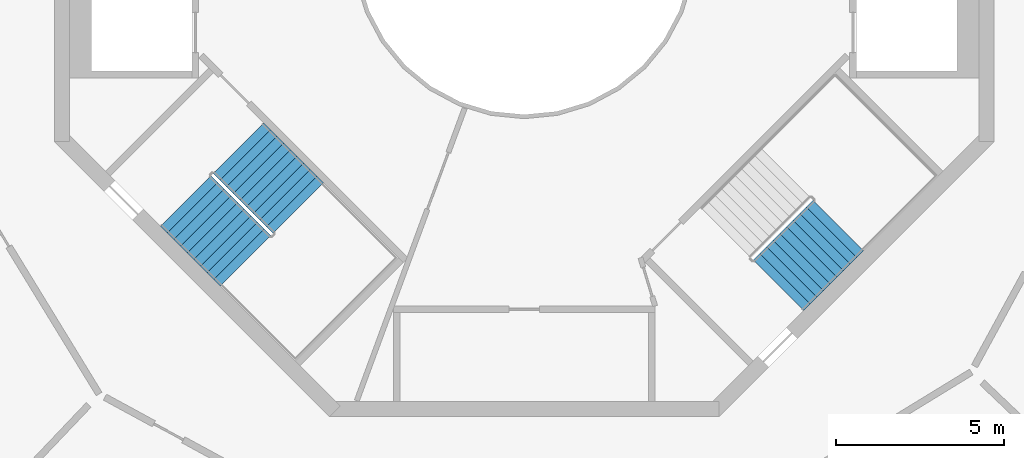
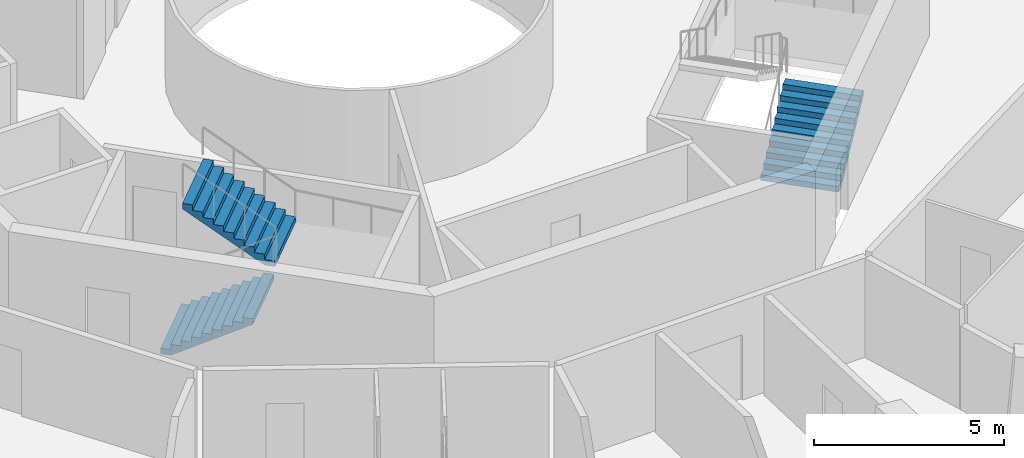
# One storey, part 24 of 26: 3 stair flights, 2 elements without a shape of their own.
"""IFC4 building model written with IfcOpenShell, lengths in metres."""

import ifcopenshell
import ifcopenshell.guid

model = None  # the IFC model being written
_history = None  # IfcOwnerHistory: only IFC2X3 demands one
_inside = {}  # id of a spatial element -> (the spatial element, [elements in it])
_under = {}  # id of a project, library or spatial element -> (it, [spatial elements below it])
_declared = {}  # id of a project -> (the project, [libraries it declares])
_typed = {}  # id of a type object -> (the type object, [elements of that type])
_made_of = {}  # id of a material, layer set ... -> (it, [elements and type objects made of it])


def new_model(schema):
    """Start an empty IFC model of exactly this schema.

    Asked for "IFC4X3", IfcOpenShell would pick the latest addendum, in which some entities
    have other attributes; the version numbers below select the first issue.
    IFC2X3 requires an IfcOwnerHistory on every rooted entity: one is made here for all.
    """
    global model, _history
    if schema == "IFC4X3":
        model = ifcopenshell.file(schema_version=(4, 3, 0, 0))
    else:
        model = ifcopenshell.file(schema=schema)
    _inside.clear()
    _under.clear()
    _declared.clear()
    _typed.clear()
    _made_of.clear()
    _history = None
    if model.schema == "IFC2X3":
        org = make("IfcOrganization", Name="unknown")
        user = make(
            "IfcPersonAndOrganization",
            ThePerson=make("IfcPerson", FamilyName="unknown"),
            TheOrganization=org,
        )
        app = make(
            "IfcApplication",
            ApplicationDeveloper=org,
            Version="unknown",
            ApplicationFullName="unknown",
            ApplicationIdentifier="unknown",
        )
        _history = make(
            "IfcOwnerHistory",
            OwningUser=user,
            OwningApplication=app,
            ChangeAction="ADDED",
            CreationDate=0,
        )
    return model


def make(cls, **values):
    """One entity of the class cls with the attributes given. An attribute that is None is left unset."""
    return model.create_entity(
        cls, **{name: value for name, value in values.items() if value is not None}
    )


def rooted(cls, **values):
    """An entity with a GlobalId (a new one), such as an element, a storey or a relation."""
    return make(cls, GlobalId=ifcopenshell.guid.new(), OwnerHistory=_history, **values)


def si_unit(unit_type, name, prefix=None):
    """IfcSIUnit, for example si_unit("LENGTHUNIT", "METRE", prefix="MILLI")."""
    return make("IfcSIUnit", UnitType=unit_type, Prefix=prefix, Name=name)


def assignment(units):
    """IfcUnitAssignment: the units of a project."""
    return None if units is None else make("IfcUnitAssignment", Units=units)


def point(xyz):
    """IfcCartesianPoint."""
    return None if xyz is None else make("IfcCartesianPoint", Coordinates=xyz)


def direction(xyz):
    """IfcDirection."""
    return None if xyz is None else make("IfcDirection", DirectionRatios=xyz)


def frame(location, z_axis=None, x_axis=None):
    """IfcAxis2Placement3D, a coordinate frame: its origin and axes. An axis left out is left unset."""
    return make(
        "IfcAxis2Placement3D",
        Location=point(location),
        Axis=direction(z_axis),
        RefDirection=direction(x_axis),
    )


def origin():
    """The frame at (0, 0, 0) with its axes left unset."""
    return frame((0.0, 0.0, 0.0))


def place(relative_to, where):
    """IfcLocalPlacement: puts the frame where relative to a parent placement (None: the world)."""
    return make(
        "IfcLocalPlacement", PlacementRelTo=relative_to, RelativePlacement=where
    )


def context(
    kind, dimensions, precision=None, world=None, true_north=None, identifier=None
):
    """IfcGeometricRepresentationContext, for example the 3D "Model" context."""
    return make(
        "IfcGeometricRepresentationContext",
        ContextIdentifier=identifier,
        ContextType=kind,
        CoordinateSpaceDimension=dimensions,
        Precision=precision,
        WorldCoordinateSystem=world,
        TrueNorth=true_north,
    )


def subcontext(parent, identifier, kind, view, scale=None):
    """IfcGeometricRepresentationSubContext, for example "Body" below "Model"."""
    return make(
        "IfcGeometricRepresentationSubContext",
        ContextIdentifier=identifier,
        ContextType=kind,
        ParentContext=parent,
        TargetScale=scale,
        TargetView=view,
    )


def project(units=None, contexts=None):
    """IfcProject with its units and contexts."""
    return rooted(
        "IfcProject",
        Name="project",
        RepresentationContexts=contexts,
        UnitsInContext=assignment(units),
    )


def spatial(cls, under=None, at=None, **own):
    """A site, building, storey or space (cls), placed at a placement, below another one or the project."""
    s = rooted(cls, ObjectPlacement=at, **own)
    if under is not None:
        _under.setdefault(under.id(), (under, []))[1].append(s)
    return s


def point_list(points):
    """IfcCartesianPointList2D or 3D."""
    cls = (
        "IfcCartesianPointList2D" if len(points[0]) == 2 else "IfcCartesianPointList3D"
    )
    return make(cls, CoordList=points)


def triangles(points, corners, closed=None, point_numbers=None):
    """IfcTriangulatedFaceSet: each triangle names its three corners, points numbered from 1."""
    return make(
        "IfcTriangulatedFaceSet",
        Coordinates=point_list(points),
        Closed=closed,
        CoordIndex=corners,
        PnIndex=point_numbers,
    )


def shape(context_of_items, identifier, shape_type, items):
    """IfcShapeRepresentation: the items that make up one representation, for example the "Body"."""
    return make(
        "IfcShapeRepresentation",
        ContextOfItems=context_of_items,
        RepresentationIdentifier=identifier,
        RepresentationType=shape_type,
        Items=items,
    )


def material(Name=None, Category=None):
    """IfcMaterial."""
    return make("IfcMaterial", Name=Name, Category=Category)


def made_of(thing, what):
    """Note that an element or type object is made of a material, layer set ...; save() writes the relation."""
    if what is not None:
        _made_of.setdefault(what.id(), (what, []))[1].append(thing)
    return thing


def type_object(cls, material=None, **own):
    """A type object (cls), such as IfcWallType, which elements share."""
    return made_of(rooted(cls, **own), material)


def element(
    cls,
    number,
    at=None,
    inside=None,
    cuts=None,
    type_object=None,
    material=None,
    context=None,
    identifier="Body",
    shape_type=None,
    held_by="IfcProductDefinitionShape",
    body=None,
    shapes=None,
    **own,
):
    """One element of the class cls, such as IfcWall. Its Tag is "e" and its number.

    at: its placement. inside: the storey or other place that contains it. cuts: it is an
    opening in that element (IfcRelVoidsElement). A single representation is given by context,
    identifier, shape_type and body (its items); several are given by shapes. held_by: the class
    of the entity that holds the representations. save() writes the other relations.
    """
    e = rooted(cls, Tag="e%d" % number, ObjectPlacement=at, **own)
    if body is not None:
        shapes = [shape(context, identifier, shape_type, body)]
    if shapes is not None:
        e.Representation = make(held_by, Representations=shapes)
    if inside is not None:
        _inside.setdefault(inside.id(), (inside, []))[1].append(e)
    if cuts is not None:
        rooted(
            "IfcRelVoidsElement", RelatingBuildingElement=cuts, RelatedOpeningElement=e
        )
    if type_object is not None:
        _typed.setdefault(type_object.id(), (type_object, []))[1].append(e)
    return made_of(e, material)


def aggregate(whole, parts):
    """IfcRelAggregates: a whole, such as a stair, and the parts it consists of."""
    return rooted("IfcRelAggregates", RelatingObject=whole, RelatedObjects=parts)


def save(model, path):
    """Write the relations noted so far, then the file.

    IfcRelAggregates (storeys below a building ...), IfcRelContainedInSpatialStructure (elements
    in a storey), IfcRelDefinesByType, IfcRelAssociatesMaterial and IfcRelDeclares: one each for
    every whole, place, type object, material and project.
    """
    for whole, parts in _under.values():
        aggregate(whole, parts)
    for where, things in _inside.values():
        rooted(
            "IfcRelContainedInSpatialStructure",
            RelatedElements=things,
            RelatingStructure=where,
        )
    for kind, things in _typed.values():
        rooted("IfcRelDefinesByType", RelatedObjects=things, RelatingType=kind)
    for what, things in _made_of.values():
        rooted("IfcRelAssociatesMaterial", RelatedObjects=things, RelatingMaterial=what)
    for by, libraries in _declared.values():
        rooted("IfcRelDeclares", RelatingContext=by, RelatedDefinitions=libraries)
    model.write(path)


model = new_model("IFC4")

# Units and contexts
model_context = context("Model", 3, precision=1e-05, world=origin(), true_north=direction((0.0, 1.0)))
body_context = subcontext(model_context, "Body", "Model", "MODEL_VIEW")
ifc_project = project(units=[si_unit("LENGTHUNIT", "METRE"), si_unit("AREAUNIT", "SQUARE_METRE"), si_unit("VOLUMEUNIT", "CUBIC_METRE"), si_unit("PLANEANGLEUNIT", "RADIAN"), si_unit("MASSUNIT", "GRAM", prefix="KILO")], contexts=[model_context])

# Site, building, storey
site_placement = place(None, origin())
site = spatial("IfcSite", under=ifc_project, at=site_placement, CompositionType="ELEMENT")
building_placement = place(site_placement, origin())
building = spatial("IfcBuilding", under=site, at=building_placement, Name="Verdalira Terraces Hotel", CompositionType="ELEMENT")
storey_placement = place(building_placement, frame((0.0, 0.0, 284.5)))
storey = spatial("IfcBuildingStorey", under=building, at=storey_placement, Name="L70", CompositionType="ELEMENT", Elevation=284.5)

# Stair, stair flights
ifc_material_1 = material(Name="Concrete C40", Category="concrete")
stair_type = type_object("IfcStairType", Name="Core stair 20 risers 2125 mm wide", PredefinedType="HALF_TURN_STAIR", material=ifc_material_1)
stair_1_placement = place(storey_placement, origin())
stair_1 = element("IfcStair", 1, at=stair_1_placement, inside=storey, type_object=stair_type, Name="L70 Exit stair ST2", PredefinedType="HALF_TURN_STAIR")
ifc_material_2 = material(Name="Concrete C40", Category="concrete")
stair_flight_type = type_object("IfcStairFlightType", Name="Core stair flight 20 risers 2125 mm wide", PredefinedType="STRAIGHT", material=ifc_material_2)
stair_flight_1_placement = place(storey_placement, frame((-10.085205, -7.574951, 0.0), z_axis=(0.0, 0.0, 1.0), x_axis=(0.707106781, -0.707106781, 0.0)))
stair_flight_1 = element("IfcStairFlight", 2, at=stair_flight_1_placement, type_object=stair_flight_type, Name="ST2 flight 1", NumberOfRisers=10, NumberOfTreads=9, PredefinedType="STRAIGHT", RiserHeight=0.175, TreadLength=0.28, context=body_context, shape_type="Tessellation", body=[
    triangles([(0.0, 1.0625, 0.0), (0.282715, 1.0625, 0.0), (2.52002, 1.0625, 1.398193), (0.0, -1.0625, 0.0), (0.282715, -1.0625, 0.0), (2.52002, -1.0625, 1.398193), (2.52002, 1.0625, 1.574951), (2.23999, 1.0625, 1.574951), (2.52002, -1.0625, 1.574951), (2.23999, -1.0625, 1.574951), (2.23999, 1.0625, 1.399902), (2.23999, -1.0625, 1.399902), (1.959961, 1.0625, 1.399902), (1.959961, -1.0625, 1.399902), (1.959961, 1.0625, 1.225098), (1.959961, -1.0625, 1.225098), (1.679932, 1.0625, 1.225098), (1.679932, 1.0625, 1.050049), (1.679932, -1.0625, 1.225098), (1.679932, -1.0625, 1.050049), (1.399902, 1.0625, 1.050049), (1.399902, 1.0625, 0.875), (1.399902, -1.0625, 1.050049), (1.399902, -1.0625, 0.875), (1.120117, 1.0625, 0.875), (1.120117, 1.0625, 0.699951), (1.120117, -1.0625, 0.875), (1.120117, -1.0625, 0.699951), (0.840088, 1.0625, 0.699951), (0.840088, 1.0625, 0.524902), (0.840088, -1.0625, 0.699951), (0.840088, -1.0625, 0.524902), (0.560059, 1.0625, 0.524902), (0.560059, 1.0625, 0.350098), (0.560059, -1.0625, 0.524902), (0.560059, -1.0625, 0.350098), (0.280029, 1.0625, 0.350098), (0.280029, 1.0625, 0.175049), (0.280029, -1.0625, 0.350098), (0.280029, -1.0625, 0.175049), (0.0, 1.0625, 0.175049), (0.0, -1.0625, 0.175049), (0.0, -0.996094, 0.0), (0.0, -0.996094, 0.175049), (0.0, -0.929688, 0.0), (0.0, -0.929688, 0.175049), (0.0, -0.863281, 0.0), (0.0, -0.863281, 0.175049), (0.0, -0.796875, 0.0), (0.0, -0.796875, 0.175049), (0.0, -0.730469, 0.0), (0.0, -0.730469, 0.175049), (0.0, -0.664062, 0.0), (0.0, -0.664062, 0.175049), (0.0, -0.597656, 0.0), (0.0, -0.597656, 0.175049), (0.0, -0.53125, 0.0), (0.0, -0.53125, 0.175049), (0.0, -0.464844, 0.0), (0.0, -0.464844, 0.175049), (0.0, -0.398438, 0.0), (0.0, -0.398438, 0.175049), (0.0, -0.332031, 0.0), (0.0, -0.332031, 0.175049), (0.0, -0.265625, 0.0), (0.0, -0.265625, 0.175049), (0.0, -0.199219, 0.0), (0.0, -0.199219, 0.175049), (0.0, -0.132812, 0.0), (0.0, -0.132812, 0.175049), (0.0, -0.066406, 0.0), (0.0, -0.066406, 0.175049), (0.0, 0.0, 0.0), (0.0, 0.0, 0.175049), (0.0, 0.066406, 0.0), (0.0, 0.066406, 0.175049), (0.0, 0.132812, 0.0), (0.0, 0.132812, 0.175049), (0.0, 0.199219, 0.0), (0.0, 0.199219, 0.175049), (0.0, 0.265625, 0.0), (0.0, 0.265625, 0.175049), (0.0, 0.332031, 0.0), (0.0, 0.332031, 0.175049), (0.0, 0.398438, 0.0), (0.0, 0.398438, 0.175049), (0.0, 0.464844, 0.0), (0.0, 0.464844, 0.175049), (0.0, 0.53125, 0.0), (0.0, 0.53125, 0.175049), (0.0, 0.597656, 0.0), (0.0, 0.597656, 0.175049), (0.0, 0.664062, 0.0), (0.0, 0.664062, 0.175049), (0.0, 0.730469, 0.0), (0.0, 0.730469, 0.175049), (0.0, 0.796875, 0.0), (0.0, 0.796875, 0.175049), (0.0, 0.863281, 0.0), (0.0, 0.863281, 0.175049), (0.0, 0.929688, 0.0), (0.0, 0.929688, 0.175049), (0.0, 0.996094, 0.0), (0.0, 0.996094, 0.175049), (2.52002, -0.996094, 1.574951), (2.52002, -0.929688, 1.574951), (2.52002, -0.863281, 1.574951), (2.52002, -0.796875, 1.574951), (2.52002, -0.730469, 1.574951), (2.52002, -0.664062, 1.574951), (2.52002, -0.597656, 1.574951), (2.52002, -0.53125, 1.574951), (2.52002, -0.464844, 1.574951), (2.52002, -0.398438, 1.574951), (2.52002, -0.332031, 1.574951), (2.52002, -0.265625, 1.574951), (2.52002, -0.199219, 1.574951), (2.52002, -0.132812, 1.574951), (2.52002, -0.066406, 1.574951), (2.52002, 0.0, 1.574951), (2.52002, 0.066406, 1.574951), (2.52002, 0.132812, 1.574951), (2.52002, 0.199219, 1.574951), (2.52002, 0.265625, 1.574951), (2.52002, 0.332031, 1.574951), (2.52002, 0.398438, 1.574951), (2.52002, 0.464844, 1.574951), (2.52002, 0.53125, 1.574951), (2.52002, 0.597656, 1.574951), (2.52002, 0.664062, 1.574951), (2.52002, 0.730469, 1.574951), (2.52002, 0.796875, 1.574951), (2.52002, 0.863281, 1.574951), (2.52002, 0.929688, 1.574951), (2.52002, 0.996094, 1.574951), (2.52002, -0.996094, 1.398193), (2.52002, -0.929688, 1.398193), (2.52002, -0.863281, 1.398193), (2.52002, -0.796875, 1.398193), (2.52002, -0.730469, 1.398193), (2.52002, -0.664062, 1.398193), (2.52002, -0.597656, 1.398193), (2.52002, -0.53125, 1.398193), (2.52002, -0.464844, 1.398193), (2.52002, -0.398438, 1.398193), (2.52002, -0.332031, 1.398193), (2.52002, -0.265625, 1.398193), (2.52002, -0.199219, 1.398193), (2.52002, -0.132812, 1.398193), (2.52002, -0.066406, 1.398193), (2.52002, 0.0, 1.398193), (2.52002, 0.066406, 1.398193), (2.52002, 0.132812, 1.398193), (2.52002, 0.199219, 1.398193), (2.52002, 0.265625, 1.398193), (2.52002, 0.332031, 1.398193), (2.52002, 0.398438, 1.398193), (2.52002, 0.464844, 1.398193), (2.52002, 0.53125, 1.398193), (2.52002, 0.597656, 1.398193), (2.52002, 0.664062, 1.398193), (2.52002, 0.730469, 1.398193), (2.52002, 0.796875, 1.398193), (2.52002, 0.863281, 1.398193), (2.52002, 0.929688, 1.398193), (2.52002, 0.996094, 1.398193)], [[1, 3, 2], [4, 5, 6], [3, 8, 7], [6, 9, 10], [3, 11, 8], [6, 10, 12], [3, 13, 11], [6, 12, 14], [3, 15, 13], [6, 14, 16], [15, 18, 17], [16, 19, 20], [3, 18, 15], [6, 16, 20], [18, 22, 21], [20, 23, 24], [3, 22, 18], [6, 20, 24], [22, 26, 25], [24, 27, 28], [3, 26, 22], [6, 24, 28], [26, 30, 29], [28, 31, 32], [3, 30, 26], [6, 28, 32], [1, 30, 3], [4, 6, 32], [30, 34, 33], [32, 35, 36], [34, 38, 37], [36, 39, 40], [30, 38, 34], [32, 36, 40], [1, 38, 30], [4, 32, 40], [38, 1, 41], [40, 42, 4], [4, 44, 43], [4, 42, 44], [43, 46, 45], [43, 44, 46], [45, 48, 47], [45, 46, 48], [47, 50, 49], [47, 48, 50], [49, 52, 51], [49, 50, 52], [51, 54, 53], [51, 52, 54], [53, 56, 55], [53, 54, 56], [55, 58, 57], [55, 56, 58], [57, 60, 59], [57, 58, 60], [59, 62, 61], [59, 60, 62], [61, 64, 63], [61, 62, 64], [63, 66, 65], [63, 64, 66], [65, 68, 67], [65, 66, 68], [67, 70, 69], [67, 68, 70], [69, 72, 71], [69, 70, 72], [71, 74, 73], [71, 72, 74], [73, 76, 75], [73, 74, 76], [75, 78, 77], [75, 76, 78], [77, 80, 79], [77, 78, 80], [79, 82, 81], [79, 80, 82], [81, 84, 83], [81, 82, 84], [83, 86, 85], [83, 84, 86], [85, 88, 87], [85, 86, 88], [87, 90, 89], [87, 88, 90], [89, 92, 91], [89, 90, 92], [91, 94, 93], [91, 92, 94], [93, 96, 95], [93, 94, 96], [95, 98, 97], [95, 96, 98], [97, 100, 99], [97, 98, 100], [99, 102, 101], [99, 100, 102], [101, 104, 103], [101, 102, 104], [103, 41, 1], [103, 104, 41], [42, 40, 44], [44, 40, 46], [46, 40, 48], [48, 40, 50], [50, 40, 52], [52, 40, 54], [54, 40, 56], [56, 40, 58], [58, 40, 60], [60, 40, 62], [62, 40, 64], [64, 40, 66], [66, 40, 68], [68, 40, 70], [70, 40, 72], [72, 40, 74], [74, 40, 76], [76, 40, 78], [78, 40, 80], [80, 40, 82], [82, 40, 84], [84, 40, 86], [86, 40, 88], [88, 40, 90], [90, 40, 92], [92, 40, 94], [94, 40, 96], [96, 40, 98], [98, 40, 100], [100, 40, 102], [102, 40, 104], [104, 40, 41], [41, 40, 38], [40, 37, 38], [40, 39, 37], [39, 34, 37], [39, 36, 34], [36, 33, 34], [36, 35, 33], [35, 30, 33], [35, 32, 30], [32, 29, 30], [32, 31, 29], [31, 26, 29], [31, 28, 26], [28, 25, 26], [28, 27, 25], [27, 22, 25], [27, 24, 22], [24, 21, 22], [24, 23, 21], [23, 18, 21], [23, 20, 18], [20, 17, 18], [20, 19, 17], [19, 15, 17], [19, 16, 15], [16, 13, 15], [16, 14, 13], [14, 11, 13], [14, 12, 11], [12, 8, 11], [12, 10, 8], [9, 105, 10], [105, 106, 10], [106, 107, 10], [107, 108, 10], [108, 109, 10], [109, 110, 10], [110, 111, 10], [111, 112, 10], [112, 113, 10], [113, 114, 10], [114, 115, 10], [115, 116, 10], [116, 117, 10], [117, 118, 10], [118, 119, 10], [119, 120, 10], [120, 121, 10], [121, 122, 10], [122, 123, 10], [123, 124, 10], [124, 125, 10], [125, 126, 10], [126, 127, 10], [127, 128, 10], [128, 129, 10], [129, 130, 10], [130, 131, 10], [131, 132, 10], [132, 133, 10], [133, 134, 10], [134, 135, 10], [135, 7, 10], [7, 8, 10], [9, 136, 105], [9, 6, 136], [105, 137, 106], [105, 136, 137], [106, 138, 107], [106, 137, 138], [107, 139, 108], [107, 138, 139], [108, 140, 109], [108, 139, 140], [109, 141, 110], [109, 140, 141], [110, 142, 111], [110, 141, 142], [111, 143, 112], [111, 142, 143], [112, 144, 113], [112, 143, 144], [113, 145, 114], [113, 144, 145], [114, 146, 115], [114, 145, 146], [115, 147, 116], [115, 146, 147], [116, 148, 117], [116, 147, 148], [117, 149, 118], [117, 148, 149], [118, 150, 119], [118, 149, 150], [119, 151, 120], [119, 150, 151], [120, 152, 121], [120, 151, 152], [121, 153, 122], [121, 152, 153], [122, 154, 123], [122, 153, 154], [123, 155, 124], [123, 154, 155], [124, 156, 125], [124, 155, 156], [125, 157, 126], [125, 156, 157], [126, 158, 127], [126, 157, 158], [127, 159, 128], [127, 158, 159], [128, 160, 129], [128, 159, 160], [129, 161, 130], [129, 160, 161], [130, 162, 131], [130, 161, 162], [131, 163, 132], [131, 162, 163], [132, 164, 133], [132, 163, 164], [133, 165, 134], [133, 164, 165], [134, 166, 135], [134, 165, 166], [135, 3, 7], [135, 166, 3], [6, 5, 136], [136, 5, 137], [137, 5, 138], [138, 5, 139], [139, 5, 140], [140, 5, 141], [141, 5, 142], [142, 5, 143], [143, 5, 144], [144, 5, 145], [145, 5, 146], [146, 5, 147], [147, 5, 148], [148, 5, 149], [149, 5, 150], [150, 5, 151], [151, 5, 152], [152, 5, 153], [153, 5, 154], [154, 5, 155], [155, 5, 156], [156, 5, 157], [157, 5, 158], [158, 5, 159], [159, 5, 160], [160, 5, 161], [161, 5, 162], [162, 5, 163], [163, 5, 164], [164, 5, 165], [165, 5, 166], [166, 5, 3], [3, 5, 2], [4, 43, 5], [43, 45, 5], [45, 47, 5], [47, 49, 5], [49, 51, 5], [51, 53, 5], [53, 55, 5], [55, 57, 5], [57, 59, 5], [59, 61, 5], [61, 63, 5], [63, 65, 5], [65, 67, 5], [67, 69, 5], [69, 71, 5], [71, 73, 5], [73, 75, 5], [75, 77, 5], [77, 79, 5], [79, 81, 5], [81, 83, 5], [83, 85, 5], [85, 87, 5], [87, 89, 5], [89, 91, 5], [91, 93, 5], [93, 95, 5], [95, 97, 5], [97, 99, 5], [99, 101, 5], [101, 103, 5], [103, 1, 5], [1, 2, 5]], closed=True),
])
stair_flight_2_placement = place(storey_placement, frame((-6.72998, -7.783447, 1.75), z_axis=(0.0, 0.0, 1.0), x_axis=(-0.707106781, 0.707106781, 0.0)))
stair_flight_2 = element("IfcStairFlight", 3, at=stair_flight_2_placement, type_object=stair_flight_type, Name="ST2 flight 2", NumberOfRisers=10, NumberOfTreads=9, PredefinedType="STRAIGHT", RiserHeight=0.175, TreadLength=0.28, context=body_context, shape_type="Tessellation", body=[
    triangles([(0.0, 1.0625, 0.0), (0.282715, 1.0625, 0.0), (2.52002, 1.0625, 1.398193), (0.0, -1.0625, 0.0), (0.282715, -1.0625, 0.0), (2.52002, -1.0625, 1.398193), (2.52002, 1.0625, 1.574951), (2.23999, 1.0625, 1.574951), (2.52002, -1.0625, 1.574951), (2.23999, -1.0625, 1.574951), (2.23999, 1.0625, 1.399902), (2.23999, -1.0625, 1.399902), (1.959961, 1.0625, 1.399902), (1.959961, -1.0625, 1.399902), (1.959961, 1.0625, 1.225098), (1.959961, -1.0625, 1.225098), (1.679932, 1.0625, 1.225098), (1.679932, 1.0625, 1.050049), (1.679932, -1.0625, 1.225098), (1.679932, -1.0625, 1.050049), (1.399902, 1.0625, 1.050049), (1.399902, 1.0625, 0.875), (1.399902, -1.0625, 1.050049), (1.399902, -1.0625, 0.875), (1.120117, 1.0625, 0.875), (1.120117, 1.0625, 0.699951), (1.120117, -1.0625, 0.875), (1.120117, -1.0625, 0.699951), (0.840088, 1.0625, 0.699951), (0.840088, 1.0625, 0.524902), (0.840088, -1.0625, 0.699951), (0.840088, -1.0625, 0.524902), (0.560059, 1.0625, 0.524902), (0.560059, 1.0625, 0.350098), (0.560059, -1.0625, 0.524902), (0.560059, -1.0625, 0.350098), (0.280029, 1.0625, 0.350098), (0.280029, 1.0625, 0.175049), (0.280029, -1.0625, 0.350098), (0.280029, -1.0625, 0.175049), (0.0, 1.0625, 0.175049), (0.0, -1.0625, 0.175049), (0.0, -0.996094, 0.0), (0.0, -0.996094, 0.175049), (0.0, -0.929688, 0.0), (0.0, -0.929688, 0.175049), (0.0, -0.863281, 0.0), (0.0, -0.863281, 0.175049), (0.0, -0.796875, 0.0), (0.0, -0.796875, 0.175049), (0.0, -0.730469, 0.0), (0.0, -0.730469, 0.175049), (0.0, -0.664062, 0.0), (0.0, -0.664062, 0.175049), (0.0, -0.597656, 0.0), (0.0, -0.597656, 0.175049), (0.0, -0.53125, 0.0), (0.0, -0.53125, 0.175049), (0.0, -0.464844, 0.0), (0.0, -0.464844, 0.175049), (0.0, -0.398438, 0.0), (0.0, -0.398438, 0.175049), (0.0, -0.332031, 0.0), (0.0, -0.332031, 0.175049), (0.0, -0.265625, 0.0), (0.0, -0.265625, 0.175049), (0.0, -0.199219, 0.0), (0.0, -0.199219, 0.175049), (0.0, -0.132812, 0.0), (0.0, -0.132812, 0.175049), (0.0, -0.066406, 0.0), (0.0, -0.066406, 0.175049), (0.0, 0.0, 0.0), (0.0, 0.0, 0.175049), (0.0, 0.066406, 0.0), (0.0, 0.066406, 0.175049), (0.0, 0.132812, 0.0), (0.0, 0.132812, 0.175049), (0.0, 0.199219, 0.0), (0.0, 0.199219, 0.175049), (0.0, 0.265625, 0.0), (0.0, 0.265625, 0.175049), (0.0, 0.332031, 0.0), (0.0, 0.332031, 0.175049), (0.0, 0.398438, 0.0), (0.0, 0.398438, 0.175049), (0.0, 0.464844, 0.0), (0.0, 0.464844, 0.175049), (0.0, 0.53125, 0.0), (0.0, 0.53125, 0.175049), (0.0, 0.597656, 0.0), (0.0, 0.597656, 0.175049), (0.0, 0.664062, 0.0), (0.0, 0.664062, 0.175049), (0.0, 0.730469, 0.0), (0.0, 0.730469, 0.175049), (0.0, 0.796875, 0.0), (0.0, 0.796875, 0.175049), (0.0, 0.863281, 0.0), (0.0, 0.863281, 0.175049), (0.0, 0.929688, 0.0), (0.0, 0.929688, 0.175049), (0.0, 0.996094, 0.0), (0.0, 0.996094, 0.175049), (2.52002, -0.996094, 1.574951), (2.52002, -0.929688, 1.574951), (2.52002, -0.863281, 1.574951), (2.52002, -0.796875, 1.574951), (2.52002, -0.730469, 1.574951), (2.52002, -0.664062, 1.574951), (2.52002, -0.597656, 1.574951), (2.52002, -0.53125, 1.574951), (2.52002, -0.464844, 1.574951), (2.52002, -0.398438, 1.574951), (2.52002, -0.332031, 1.574951), (2.52002, -0.265625, 1.574951), (2.52002, -0.199219, 1.574951), (2.52002, -0.132812, 1.574951), (2.52002, -0.066406, 1.574951), (2.52002, 0.0, 1.574951), (2.52002, 0.066406, 1.574951), (2.52002, 0.132812, 1.574951), (2.52002, 0.199219, 1.574951), (2.52002, 0.265625, 1.574951), (2.52002, 0.332031, 1.574951), (2.52002, 0.398438, 1.574951), (2.52002, 0.464844, 1.574951), (2.52002, 0.53125, 1.574951), (2.52002, 0.597656, 1.574951), (2.52002, 0.664062, 1.574951), (2.52002, 0.730469, 1.574951), (2.52002, 0.796875, 1.574951), (2.52002, 0.863281, 1.574951), (2.52002, 0.929688, 1.574951), (2.52002, 0.996094, 1.574951), (2.52002, -0.996094, 1.398193), (2.52002, -0.929688, 1.398193), (2.52002, -0.863281, 1.398193), (2.52002, -0.796875, 1.398193), (2.52002, -0.730469, 1.398193), (2.52002, -0.664062, 1.398193), (2.52002, -0.597656, 1.398193), (2.52002, -0.53125, 1.398193), (2.52002, -0.464844, 1.398193), (2.52002, -0.398438, 1.398193), (2.52002, -0.332031, 1.398193), (2.52002, -0.265625, 1.398193), (2.52002, -0.199219, 1.398193), (2.52002, -0.132812, 1.398193), (2.52002, -0.066406, 1.398193), (2.52002, 0.0, 1.398193), (2.52002, 0.066406, 1.398193), (2.52002, 0.132812, 1.398193), (2.52002, 0.199219, 1.398193), (2.52002, 0.265625, 1.398193), (2.52002, 0.332031, 1.398193), (2.52002, 0.398438, 1.398193), (2.52002, 0.464844, 1.398193), (2.52002, 0.53125, 1.398193), (2.52002, 0.597656, 1.398193), (2.52002, 0.664062, 1.398193), (2.52002, 0.730469, 1.398193), (2.52002, 0.796875, 1.398193), (2.52002, 0.863281, 1.398193), (2.52002, 0.929688, 1.398193), (2.52002, 0.996094, 1.398193)], [[1, 3, 2], [4, 5, 6], [3, 8, 7], [6, 9, 10], [3, 11, 8], [6, 10, 12], [3, 13, 11], [6, 12, 14], [3, 15, 13], [6, 14, 16], [15, 18, 17], [16, 19, 20], [3, 18, 15], [6, 16, 20], [18, 22, 21], [20, 23, 24], [3, 22, 18], [6, 20, 24], [22, 26, 25], [24, 27, 28], [3, 26, 22], [6, 24, 28], [26, 30, 29], [28, 31, 32], [3, 30, 26], [6, 28, 32], [1, 30, 3], [4, 6, 32], [30, 34, 33], [32, 35, 36], [34, 38, 37], [36, 39, 40], [30, 38, 34], [32, 36, 40], [1, 38, 30], [4, 32, 40], [38, 1, 41], [40, 42, 4], [4, 44, 43], [4, 42, 44], [43, 46, 45], [43, 44, 46], [45, 48, 47], [45, 46, 48], [47, 50, 49], [47, 48, 50], [49, 52, 51], [49, 50, 52], [51, 54, 53], [51, 52, 54], [53, 56, 55], [53, 54, 56], [55, 58, 57], [55, 56, 58], [57, 60, 59], [57, 58, 60], [59, 62, 61], [59, 60, 62], [61, 64, 63], [61, 62, 64], [63, 66, 65], [63, 64, 66], [65, 68, 67], [65, 66, 68], [67, 70, 69], [67, 68, 70], [69, 72, 71], [69, 70, 72], [71, 74, 73], [71, 72, 74], [73, 76, 75], [73, 74, 76], [75, 78, 77], [75, 76, 78], [77, 80, 79], [77, 78, 80], [79, 82, 81], [79, 80, 82], [81, 84, 83], [81, 82, 84], [83, 86, 85], [83, 84, 86], [85, 88, 87], [85, 86, 88], [87, 90, 89], [87, 88, 90], [89, 92, 91], [89, 90, 92], [91, 94, 93], [91, 92, 94], [93, 96, 95], [93, 94, 96], [95, 98, 97], [95, 96, 98], [97, 100, 99], [97, 98, 100], [99, 102, 101], [99, 100, 102], [101, 104, 103], [101, 102, 104], [103, 41, 1], [103, 104, 41], [42, 40, 44], [44, 40, 46], [46, 40, 48], [48, 40, 50], [50, 40, 52], [52, 40, 54], [54, 40, 56], [56, 40, 58], [58, 40, 60], [60, 40, 62], [62, 40, 64], [64, 40, 66], [66, 40, 68], [68, 40, 70], [70, 40, 72], [72, 40, 74], [74, 40, 76], [76, 40, 78], [78, 40, 80], [80, 40, 82], [82, 40, 84], [84, 40, 86], [86, 40, 88], [88, 40, 90], [90, 40, 92], [92, 40, 94], [94, 40, 96], [96, 40, 98], [98, 40, 100], [100, 40, 102], [102, 40, 104], [104, 40, 41], [41, 40, 38], [40, 37, 38], [40, 39, 37], [39, 34, 37], [39, 36, 34], [36, 33, 34], [36, 35, 33], [35, 30, 33], [35, 32, 30], [32, 29, 30], [32, 31, 29], [31, 26, 29], [31, 28, 26], [28, 25, 26], [28, 27, 25], [27, 22, 25], [27, 24, 22], [24, 21, 22], [24, 23, 21], [23, 18, 21], [23, 20, 18], [20, 17, 18], [20, 19, 17], [19, 15, 17], [19, 16, 15], [16, 13, 15], [16, 14, 13], [14, 11, 13], [14, 12, 11], [12, 8, 11], [12, 10, 8], [9, 105, 10], [105, 106, 10], [106, 107, 10], [107, 108, 10], [108, 109, 10], [109, 110, 10], [110, 111, 10], [111, 112, 10], [112, 113, 10], [113, 114, 10], [114, 115, 10], [115, 116, 10], [116, 117, 10], [117, 118, 10], [118, 119, 10], [119, 120, 10], [120, 121, 10], [121, 122, 10], [122, 123, 10], [123, 124, 10], [124, 125, 10], [125, 126, 10], [126, 127, 10], [127, 128, 10], [128, 129, 10], [129, 130, 10], [130, 131, 10], [131, 132, 10], [132, 133, 10], [133, 134, 10], [134, 135, 10], [135, 7, 10], [7, 8, 10], [9, 136, 105], [9, 6, 136], [105, 137, 106], [105, 136, 137], [106, 138, 107], [106, 137, 138], [107, 139, 108], [107, 138, 139], [108, 140, 109], [108, 139, 140], [109, 141, 110], [109, 140, 141], [110, 142, 111], [110, 141, 142], [111, 143, 112], [111, 142, 143], [112, 144, 113], [112, 143, 144], [113, 145, 114], [113, 144, 145], [114, 146, 115], [114, 145, 146], [115, 147, 116], [115, 146, 147], [116, 148, 117], [116, 147, 148], [117, 149, 118], [117, 148, 149], [118, 150, 119], [118, 149, 150], [119, 151, 120], [119, 150, 151], [120, 152, 121], [120, 151, 152], [121, 153, 122], [121, 152, 153], [122, 154, 123], [122, 153, 154], [123, 155, 124], [123, 154, 155], [124, 156, 125], [124, 155, 156], [125, 157, 126], [125, 156, 157], [126, 158, 127], [126, 157, 158], [127, 159, 128], [127, 158, 159], [128, 160, 129], [128, 159, 160], [129, 161, 130], [129, 160, 161], [130, 162, 131], [130, 161, 162], [131, 163, 132], [131, 162, 163], [132, 164, 133], [132, 163, 164], [133, 165, 134], [133, 164, 165], [134, 166, 135], [134, 165, 166], [135, 3, 7], [135, 166, 3], [6, 5, 136], [136, 5, 137], [137, 5, 138], [138, 5, 139], [139, 5, 140], [140, 5, 141], [141, 5, 142], [142, 5, 143], [143, 5, 144], [144, 5, 145], [145, 5, 146], [146, 5, 147], [147, 5, 148], [148, 5, 149], [149, 5, 150], [150, 5, 151], [151, 5, 152], [152, 5, 153], [153, 5, 154], [154, 5, 155], [155, 5, 156], [156, 5, 157], [157, 5, 158], [158, 5, 159], [159, 5, 160], [160, 5, 161], [161, 5, 162], [162, 5, 163], [163, 5, 164], [164, 5, 165], [165, 5, 166], [166, 5, 3], [3, 5, 2], [4, 43, 5], [43, 45, 5], [45, 47, 5], [47, 49, 5], [49, 51, 5], [51, 53, 5], [53, 55, 5], [55, 57, 5], [57, 59, 5], [59, 61, 5], [61, 63, 5], [63, 65, 5], [65, 67, 5], [67, 69, 5], [69, 71, 5], [71, 73, 5], [73, 75, 5], [75, 77, 5], [77, 79, 5], [79, 81, 5], [81, 83, 5], [83, 85, 5], [85, 87, 5], [87, 89, 5], [89, 91, 5], [91, 93, 5], [93, 95, 5], [95, 97, 5], [97, 99, 5], [99, 101, 5], [101, 103, 5], [103, 1, 5], [1, 2, 5]], closed=True),
])
aggregate(stair_1, [stair_flight_1, stair_flight_2])

# Stair, stair flight
stair_2_placement = place(storey_placement, origin())
stair_2 = element("IfcStair", 4, at=stair_2_placement, inside=storey, type_object=stair_type, Name="L70 Exit stair ST3", PredefinedType="HALF_TURN_STAIR")
stair_flight_3_placement = place(storey_placement, frame((7.574951, -10.085205, 0.0), z_axis=(0.0, 0.0, 1.0), x_axis=(0.707106781, 0.707106781, 0.0)))
stair_flight_3 = element("IfcStairFlight", 5, at=stair_flight_3_placement, type_object=stair_flight_type, Name="ST3 flight 1", NumberOfRisers=10, NumberOfTreads=9, PredefinedType="STRAIGHT", RiserHeight=0.175, TreadLength=0.28, context=body_context, shape_type="Tessellation", body=[
    triangles([(0.0, 1.0625, 0.0), (0.282715, 1.0625, 0.0), (2.52002, 1.0625, 1.398193), (0.0, -1.0625, 0.0), (0.282715, -1.0625, 0.0), (2.52002, -1.0625, 1.398193), (2.52002, 1.0625, 1.574951), (2.23999, 1.0625, 1.574951), (2.52002, -1.0625, 1.574951), (2.23999, -1.0625, 1.574951), (2.23999, 1.0625, 1.399902), (2.23999, -1.0625, 1.399902), (1.959961, 1.0625, 1.399902), (1.959961, -1.0625, 1.399902), (1.959961, 1.0625, 1.225098), (1.959961, -1.0625, 1.225098), (1.679932, 1.0625, 1.225098), (1.679932, 1.0625, 1.050049), (1.679932, -1.0625, 1.225098), (1.679932, -1.0625, 1.050049), (1.399902, 1.0625, 1.050049), (1.399902, 1.0625, 0.875), (1.399902, -1.0625, 1.050049), (1.399902, -1.0625, 0.875), (1.120117, 1.0625, 0.875), (1.120117, 1.0625, 0.699951), (1.120117, -1.0625, 0.875), (1.120117, -1.0625, 0.699951), (0.840088, 1.0625, 0.699951), (0.840088, 1.0625, 0.524902), (0.840088, -1.0625, 0.699951), (0.840088, -1.0625, 0.524902), (0.560059, 1.0625, 0.524902), (0.560059, 1.0625, 0.350098), (0.560059, -1.0625, 0.524902), (0.560059, -1.0625, 0.350098), (0.280029, 1.0625, 0.350098), (0.280029, 1.0625, 0.175049), (0.280029, -1.0625, 0.350098), (0.280029, -1.0625, 0.175049), (0.0, 1.0625, 0.175049), (0.0, -1.0625, 0.175049), (0.0, -0.996094, 0.0), (0.0, -0.996094, 0.175049), (0.0, -0.929688, 0.0), (0.0, -0.929688, 0.175049), (0.0, -0.863281, 0.0), (0.0, -0.863281, 0.175049), (0.0, -0.796875, 0.0), (0.0, -0.796875, 0.175049), (0.0, -0.730469, 0.0), (0.0, -0.730469, 0.175049), (0.0, -0.664062, 0.0), (0.0, -0.664062, 0.175049), (0.0, -0.597656, 0.0), (0.0, -0.597656, 0.175049), (0.0, -0.53125, 0.0), (0.0, -0.53125, 0.175049), (0.0, -0.464844, 0.0), (0.0, -0.464844, 0.175049), (0.0, -0.398438, 0.0), (0.0, -0.398438, 0.175049), (0.0, -0.332031, 0.0), (0.0, -0.332031, 0.175049), (0.0, -0.265625, 0.0), (0.0, -0.265625, 0.175049), (0.0, -0.199219, 0.0), (0.0, -0.199219, 0.175049), (0.0, -0.132812, 0.0), (0.0, -0.132812, 0.175049), (0.0, -0.066406, 0.0), (0.0, -0.066406, 0.175049), (0.0, 0.0, 0.0), (0.0, 0.0, 0.175049), (0.0, 0.066406, 0.0), (0.0, 0.066406, 0.175049), (0.0, 0.132812, 0.0), (0.0, 0.132812, 0.175049), (0.0, 0.199219, 0.0), (0.0, 0.199219, 0.175049), (0.0, 0.265625, 0.0), (0.0, 0.265625, 0.175049), (0.0, 0.332031, 0.0), (0.0, 0.332031, 0.175049), (0.0, 0.398438, 0.0), (0.0, 0.398438, 0.175049), (0.0, 0.464844, 0.0), (0.0, 0.464844, 0.175049), (0.0, 0.53125, 0.0), (0.0, 0.53125, 0.175049), (0.0, 0.597656, 0.0), (0.0, 0.597656, 0.175049), (0.0, 0.664062, 0.0), (0.0, 0.664062, 0.175049), (0.0, 0.730469, 0.0), (0.0, 0.730469, 0.175049), (0.0, 0.796875, 0.0), (0.0, 0.796875, 0.175049), (0.0, 0.863281, 0.0), (0.0, 0.863281, 0.175049), (0.0, 0.929688, 0.0), (0.0, 0.929688, 0.175049), (0.0, 0.996094, 0.0), (0.0, 0.996094, 0.175049), (2.52002, -0.996094, 1.574951), (2.52002, -0.929688, 1.574951), (2.52002, -0.863281, 1.574951), (2.52002, -0.796875, 1.574951), (2.52002, -0.730469, 1.574951), (2.52002, -0.664062, 1.574951), (2.52002, -0.597656, 1.574951), (2.52002, -0.53125, 1.574951), (2.52002, -0.464844, 1.574951), (2.52002, -0.398438, 1.574951), (2.52002, -0.332031, 1.574951), (2.52002, -0.265625, 1.574951), (2.52002, -0.199219, 1.574951), (2.52002, -0.132812, 1.574951), (2.52002, -0.066406, 1.574951), (2.52002, 0.0, 1.574951), (2.52002, 0.066406, 1.574951), (2.52002, 0.132812, 1.574951), (2.52002, 0.199219, 1.574951), (2.52002, 0.265625, 1.574951), (2.52002, 0.332031, 1.574951), (2.52002, 0.398438, 1.574951), (2.52002, 0.464844, 1.574951), (2.52002, 0.53125, 1.574951), (2.52002, 0.597656, 1.574951), (2.52002, 0.664062, 1.574951), (2.52002, 0.730469, 1.574951), (2.52002, 0.796875, 1.574951), (2.52002, 0.863281, 1.574951), (2.52002, 0.929688, 1.574951), (2.52002, 0.996094, 1.574951), (2.52002, -0.996094, 1.398193), (2.52002, -0.929688, 1.398193), (2.52002, -0.863281, 1.398193), (2.52002, -0.796875, 1.398193), (2.52002, -0.730469, 1.398193), (2.52002, -0.664062, 1.398193), (2.52002, -0.597656, 1.398193), (2.52002, -0.53125, 1.398193), (2.52002, -0.464844, 1.398193), (2.52002, -0.398438, 1.398193), (2.52002, -0.332031, 1.398193), (2.52002, -0.265625, 1.398193), (2.52002, -0.199219, 1.398193), (2.52002, -0.132812, 1.398193), (2.52002, -0.066406, 1.398193), (2.52002, 0.0, 1.398193), (2.52002, 0.066406, 1.398193), (2.52002, 0.132812, 1.398193), (2.52002, 0.199219, 1.398193), (2.52002, 0.265625, 1.398193), (2.52002, 0.332031, 1.398193), (2.52002, 0.398438, 1.398193), (2.52002, 0.464844, 1.398193), (2.52002, 0.53125, 1.398193), (2.52002, 0.597656, 1.398193), (2.52002, 0.664062, 1.398193), (2.52002, 0.730469, 1.398193), (2.52002, 0.796875, 1.398193), (2.52002, 0.863281, 1.398193), (2.52002, 0.929688, 1.398193), (2.52002, 0.996094, 1.398193)], [[1, 3, 2], [4, 5, 6], [3, 8, 7], [6, 9, 10], [3, 11, 8], [6, 10, 12], [3, 13, 11], [6, 12, 14], [3, 15, 13], [6, 14, 16], [15, 18, 17], [16, 19, 20], [3, 18, 15], [6, 16, 20], [18, 22, 21], [20, 23, 24], [3, 22, 18], [6, 20, 24], [22, 26, 25], [24, 27, 28], [3, 26, 22], [6, 24, 28], [26, 30, 29], [28, 31, 32], [3, 30, 26], [6, 28, 32], [1, 30, 3], [4, 6, 32], [30, 34, 33], [32, 35, 36], [34, 38, 37], [36, 39, 40], [30, 38, 34], [32, 36, 40], [1, 38, 30], [4, 32, 40], [38, 1, 41], [40, 42, 4], [4, 44, 43], [4, 42, 44], [43, 46, 45], [43, 44, 46], [45, 48, 47], [45, 46, 48], [47, 50, 49], [47, 48, 50], [49, 52, 51], [49, 50, 52], [51, 54, 53], [51, 52, 54], [53, 56, 55], [53, 54, 56], [55, 58, 57], [55, 56, 58], [57, 60, 59], [57, 58, 60], [59, 62, 61], [59, 60, 62], [61, 64, 63], [61, 62, 64], [63, 66, 65], [63, 64, 66], [65, 68, 67], [65, 66, 68], [67, 70, 69], [67, 68, 70], [69, 72, 71], [69, 70, 72], [71, 74, 73], [71, 72, 74], [73, 76, 75], [73, 74, 76], [75, 78, 77], [75, 76, 78], [77, 80, 79], [77, 78, 80], [79, 82, 81], [79, 80, 82], [81, 84, 83], [81, 82, 84], [83, 86, 85], [83, 84, 86], [85, 88, 87], [85, 86, 88], [87, 90, 89], [87, 88, 90], [89, 92, 91], [89, 90, 92], [91, 94, 93], [91, 92, 94], [93, 96, 95], [93, 94, 96], [95, 98, 97], [95, 96, 98], [97, 100, 99], [97, 98, 100], [99, 102, 101], [99, 100, 102], [101, 104, 103], [101, 102, 104], [103, 41, 1], [103, 104, 41], [42, 40, 44], [44, 40, 46], [46, 40, 48], [48, 40, 50], [50, 40, 52], [52, 40, 54], [54, 40, 56], [56, 40, 58], [58, 40, 60], [60, 40, 62], [62, 40, 64], [64, 40, 66], [66, 40, 68], [68, 40, 70], [70, 40, 72], [72, 40, 74], [74, 40, 76], [76, 40, 78], [78, 40, 80], [80, 40, 82], [82, 40, 84], [84, 40, 86], [86, 40, 88], [88, 40, 90], [90, 40, 92], [92, 40, 94], [94, 40, 96], [96, 40, 98], [98, 40, 100], [100, 40, 102], [102, 40, 104], [104, 40, 41], [41, 40, 38], [40, 37, 38], [40, 39, 37], [39, 34, 37], [39, 36, 34], [36, 33, 34], [36, 35, 33], [35, 30, 33], [35, 32, 30], [32, 29, 30], [32, 31, 29], [31, 26, 29], [31, 28, 26], [28, 25, 26], [28, 27, 25], [27, 22, 25], [27, 24, 22], [24, 21, 22], [24, 23, 21], [23, 18, 21], [23, 20, 18], [20, 17, 18], [20, 19, 17], [19, 15, 17], [19, 16, 15], [16, 13, 15], [16, 14, 13], [14, 11, 13], [14, 12, 11], [12, 8, 11], [12, 10, 8], [9, 105, 10], [105, 106, 10], [106, 107, 10], [107, 108, 10], [108, 109, 10], [109, 110, 10], [110, 111, 10], [111, 112, 10], [112, 113, 10], [113, 114, 10], [114, 115, 10], [115, 116, 10], [116, 117, 10], [117, 118, 10], [118, 119, 10], [119, 120, 10], [120, 121, 10], [121, 122, 10], [122, 123, 10], [123, 124, 10], [124, 125, 10], [125, 126, 10], [126, 127, 10], [127, 128, 10], [128, 129, 10], [129, 130, 10], [130, 131, 10], [131, 132, 10], [132, 133, 10], [133, 134, 10], [134, 135, 10], [135, 7, 10], [7, 8, 10], [9, 136, 105], [9, 6, 136], [105, 137, 106], [105, 136, 137], [106, 138, 107], [106, 137, 138], [107, 139, 108], [107, 138, 139], [108, 140, 109], [108, 139, 140], [109, 141, 110], [109, 140, 141], [110, 142, 111], [110, 141, 142], [111, 143, 112], [111, 142, 143], [112, 144, 113], [112, 143, 144], [113, 145, 114], [113, 144, 145], [114, 146, 115], [114, 145, 146], [115, 147, 116], [115, 146, 147], [116, 148, 117], [116, 147, 148], [117, 149, 118], [117, 148, 149], [118, 150, 119], [118, 149, 150], [119, 151, 120], [119, 150, 151], [120, 152, 121], [120, 151, 152], [121, 153, 122], [121, 152, 153], [122, 154, 123], [122, 153, 154], [123, 155, 124], [123, 154, 155], [124, 156, 125], [124, 155, 156], [125, 157, 126], [125, 156, 157], [126, 158, 127], [126, 157, 158], [127, 159, 128], [127, 158, 159], [128, 160, 129], [128, 159, 160], [129, 161, 130], [129, 160, 161], [130, 162, 131], [130, 161, 162], [131, 163, 132], [131, 162, 163], [132, 164, 133], [132, 163, 164], [133, 165, 134], [133, 164, 165], [134, 166, 135], [134, 165, 166], [135, 3, 7], [135, 166, 3], [6, 5, 136], [136, 5, 137], [137, 5, 138], [138, 5, 139], [139, 5, 140], [140, 5, 141], [141, 5, 142], [142, 5, 143], [143, 5, 144], [144, 5, 145], [145, 5, 146], [146, 5, 147], [147, 5, 148], [148, 5, 149], [149, 5, 150], [150, 5, 151], [151, 5, 152], [152, 5, 153], [153, 5, 154], [154, 5, 155], [155, 5, 156], [156, 5, 157], [157, 5, 158], [158, 5, 159], [159, 5, 160], [160, 5, 161], [161, 5, 162], [162, 5, 163], [163, 5, 164], [164, 5, 165], [165, 5, 166], [166, 5, 3], [3, 5, 2], [4, 43, 5], [43, 45, 5], [45, 47, 5], [47, 49, 5], [49, 51, 5], [51, 53, 5], [53, 55, 5], [55, 57, 5], [57, 59, 5], [59, 61, 5], [61, 63, 5], [63, 65, 5], [65, 67, 5], [67, 69, 5], [69, 71, 5], [71, 73, 5], [73, 75, 5], [75, 77, 5], [77, 79, 5], [79, 81, 5], [81, 83, 5], [83, 85, 5], [85, 87, 5], [87, 89, 5], [89, 91, 5], [91, 93, 5], [93, 95, 5], [95, 97, 5], [97, 99, 5], [99, 101, 5], [101, 103, 5], [103, 1, 5], [1, 2, 5]], closed=True),
])
aggregate(stair_2, [stair_flight_3])

save(model, "model.ifc")
